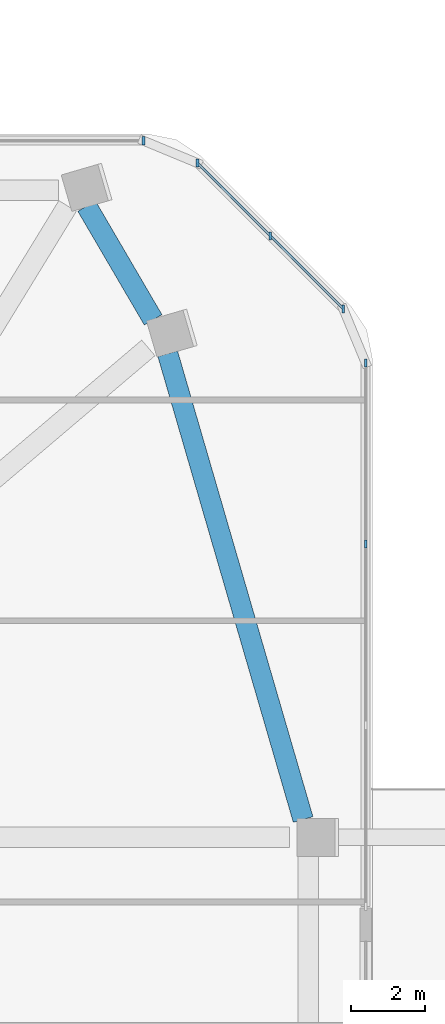
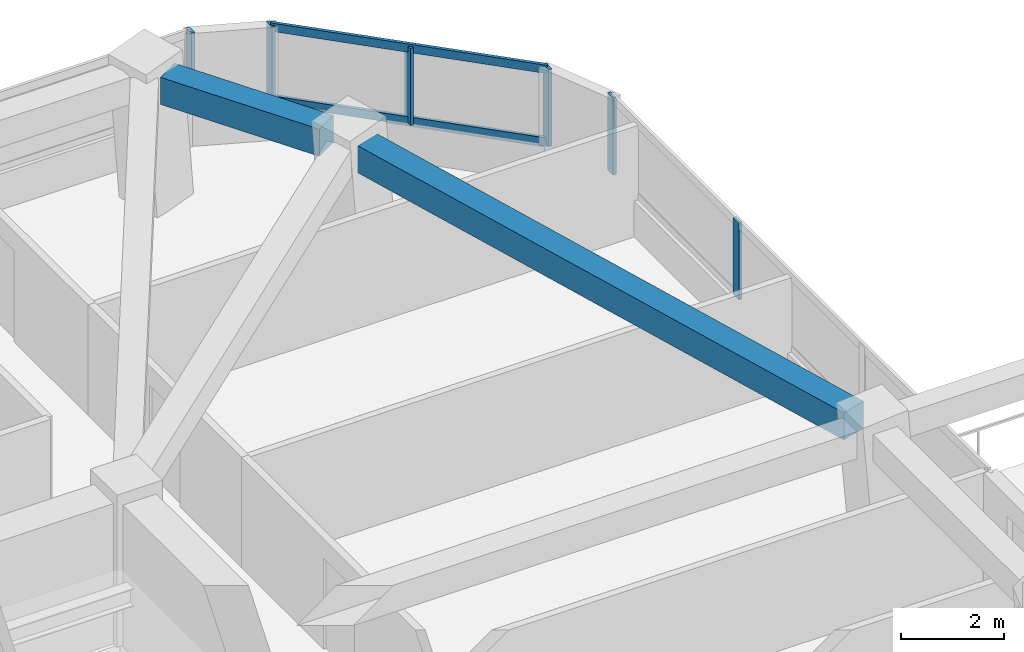
# One storey, part 8 of 15: 8 members, 2 beams, 3 elements without a shape of their own.
"""IFC4 building model written with IfcOpenShell, lengths in metres."""

from ifc_helpers import new_model, si_unit, derived_unit, direction, frame, origin, origin_2d, place, context, subcontext, project, spatial, rectangle, extrude, material, material_profile, profile_set, type_object, element, aggregate, save


model = new_model("IFC4")

# Units and contexts
model_context = context("Model", 3, precision=1e-05, world=origin(), true_north=direction((0.0, 1.0)))
body_context = subcontext(model_context, "Body", "Model", "MODEL_VIEW")
ifc_project = project(units=[si_unit("LENGTHUNIT", "METRE"), si_unit("AREAUNIT", "SQUARE_METRE"), si_unit("VOLUMEUNIT", "CUBIC_METRE"), si_unit("PLANEANGLEUNIT", "RADIAN"), si_unit("MASSUNIT", "GRAM", prefix="KILO"), derived_unit("THERMALTRANSMITTANCEUNIT", [(si_unit("POWERUNIT", "WATT"), 1), (si_unit("LENGTHUNIT", "METRE"), -2), (si_unit("THERMODYNAMICTEMPERATUREUNIT", "KELVIN"), -1)])], contexts=[model_context])

# Site, building, storey
site_placement = place(None, origin())
site = spatial("IfcSite", under=ifc_project, at=site_placement, CompositionType="ELEMENT")
building_placement = place(site_placement, origin())
building = spatial("IfcBuilding", under=site, at=building_placement, Name="Koralith Skygarden Medical Center", CompositionType="ELEMENT")
storey_placement = place(building_placement, frame((0.0, 0.0, 91.97998046875)))
storey = spatial("IfcBuildingStorey", under=building, at=storey_placement, Name="L23", CompositionType="ELEMENT", Elevation=91.97998046875)

# Curtain wall, members
ifc_material_1 = material(Name="Clear Laminated Glass", Category="glass")
curtain_wall_type = type_object("IfcCurtainWallType", Name="CW-3 Zone 2 Faceted Solar Curtain Wall", PredefinedType="NOTDEFINED", material=ifc_material_1)
curtain_wall_1_placement = place(storey_placement, origin())
curtain_wall_1 = element("IfcCurtainWall", 1, at=curtain_wall_1_placement, inside=storey, type_object=curtain_wall_type, Name="Curtain Wall CW-L23-E-R", PredefinedType="NOTDEFINED")
ifc_material_2 = material(Name="Aluminium 6063-T6", Category="aluminium")
ifc_material_profile_1 = material_profile(ifc_material_2, rectangle(XDim=0.073974609375, YDim=0.219970703125, at=origin_2d()), Name="MUL74X220")
ifc_profile_set_1 = profile_set([ifc_material_profile_1], Name="Aluminium 6063-T6")
member_type_1 = type_object("IfcMemberType", Name="CW-3 Extruded Mullion 74x220", PredefinedType="MULLION", material=ifc_profile_set_1)
member_1_placement = place(storey_placement, frame((63.41796875, 37.18408203125, 0.85009765625), z_axis=(0.0, 0.0, 1.0), x_axis=(1.0, 0.0, 0.0)))
member_1 = element("IfcMember", 2, at=member_1_placement, type_object=member_type_1, Name="CW-L23-E-R Mullion 3", PredefinedType="MULLION", context=body_context, shape_type="SweptSolid", body=[
    extrude(rectangle(XDim=0.073974609375, YDim=0.219970703125, at=origin_2d()), origin(), (0.0, 0.0, 1.0), 1.81982421875),
])
member_2_placement = place(storey_placement, frame((63.41796875, 42.055908203125, 0.85009765625), z_axis=(0.0, 0.0, 1.0), x_axis=(1.0, 0.0, 0.0)))
member_2 = element("IfcMember", 3, at=member_2_placement, type_object=member_type_1, Name="CW-L23-E-R Mullion 4", PredefinedType="MULLION", context=body_context, shape_type="SweptSolid", body=[
    extrude(rectangle(XDim=0.073974609375, YDim=0.219970703125, at=origin_2d()), origin(), (0.0, 0.0, 1.0), 1.81982421875),
])
aggregate(curtain_wall_1, [member_1, member_2])

curtain_wall_2_placement = place(storey_placement, origin())
curtain_wall_2 = element("IfcCurtainWall", 4, at=curtain_wall_2_placement, inside=storey, type_object=curtain_wall_type, Name="Curtain Wall CW-L23-NE", PredefinedType="NOTDEFINED")
member_3_placement = place(storey_placement, frame((62.81591796875, 43.507080078125, 0.85009765625), z_axis=(0.0, 0.0, 1.0), x_axis=(1.0, 0.0, 0.0)))
member_3 = element("IfcMember", 5, at=member_3_placement, type_object=member_type_1, Name="CW-L23-NE Mullion 1", PredefinedType="MULLION", context=body_context, shape_type="SweptSolid", body=[
    extrude(rectangle(XDim=0.073974609375, YDim=0.219970703125, at=origin_2d()), origin(), (0.0, 0.0, 1.0), 1.81982421875),
])
member_4_placement = place(storey_placement, frame((60.85498046875, 45.468017578125, 0.85009765625), z_axis=(0.0, 0.0, 1.0), x_axis=(1.0, 0.0, 0.0)))
member_4 = element("IfcMember", 6, at=member_4_placement, type_object=member_type_1, Name="CW-L23-NE Mullion 2", PredefinedType="MULLION", context=body_context, shape_type="SweptSolid", body=[
    extrude(rectangle(XDim=0.073974609375, YDim=0.219970703125, at=origin_2d()), origin(), (0.0, 0.0, 1.0), 1.81982421875),
])
member_5_placement = place(storey_placement, frame((58.89306640625, 47.429931640625, 0.85009765625), z_axis=(0.0, 0.0, 1.0), x_axis=(1.0, 0.0, 0.0)))
member_5 = element("IfcMember", 7, at=member_5_placement, type_object=member_type_1, Name="CW-L23-NE Mullion 3", PredefinedType="MULLION", context=body_context, shape_type="SweptSolid", body=[
    extrude(rectangle(XDim=0.073974609375, YDim=0.219970703125, at=origin_2d()), origin(), (0.0, 0.0, 1.0), 1.81982421875),
])

# Curtain wall, member
curtain_wall_3_placement = place(storey_placement, origin())
curtain_wall_3 = element("IfcCurtainWall", 8, at=curtain_wall_3_placement, inside=storey, type_object=curtain_wall_type, Name="Curtain Wall CW-L23-N", PredefinedType="NOTDEFINED")
member_6_placement = place(storey_placement, frame((57.44189453125, 48.031005859375, 0.85009765625), z_axis=(0.0, 0.0, 1.0), x_axis=(1.0, 0.0, 0.0)))
member_6 = element("IfcMember", 9, at=member_6_placement, type_object=member_type_1, Name="CW-L23-N Mullion 1", PredefinedType="MULLION", context=body_context, shape_type="SweptSolid", body=[
    extrude(rectangle(XDim=0.073974609375, YDim=0.219970703125, at=origin_2d()), origin(), (0.0, 0.0, 1.0), 1.81982421875),
])
aggregate(curtain_wall_3, [member_6])

# Member
ifc_material_profile_2 = material_profile(ifc_material_2, rectangle(XDim=0.069091796875, YDim=0.197998046875, at=origin_2d()), Name="TRN69X198")
ifc_profile_set_2 = profile_set([ifc_material_profile_2], Name="Aluminium 6063-T6")
member_type_2 = type_object("IfcMemberType", Name="CW-3 Thermal Transom 69x198", PredefinedType="USERDEFINED", material=ifc_profile_set_2)
member_7_placement = place(storey_placement, frame((62.81591796875, 43.507080078125, 0.89990234375), z_axis=(-0.707106781187, 0.707106781187, 0.0), x_axis=(-0.707106781187, -0.707106781187, 0.0)))
member_7 = element("IfcMember", 10, at=member_7_placement, type_object=member_type_2, Name="CW-L23-NE Transom 1", ObjectType="TRANSOM", PredefinedType="USERDEFINED", context=body_context, shape_type="SweptSolid", body=[
    extrude(rectangle(XDim=0.069091796875, YDim=0.197998046875, at=origin_2d()), origin(), (0.0, 0.0, 1.0), 5.5478515625),
])

member_8_placement = place(storey_placement, frame((62.81591796875, 43.507080078125, 2.6201171875), z_axis=(-0.707106781187, 0.707106781187, 0.0), x_axis=(-0.707106781187, -0.707106781187, 0.0)))
member_8 = element("IfcMember", 11, at=member_8_placement, type_object=member_type_2, Name="CW-L23-NE Transom 2", ObjectType="TRANSOM", PredefinedType="USERDEFINED", context=body_context, shape_type="SweptSolid", body=[
    extrude(rectangle(XDim=0.069091796875, YDim=0.197998046875, at=origin_2d()), origin(), (0.0, 0.0, 1.0), 5.5478515625),
])

aggregate(curtain_wall_2, [member_3, member_4, member_5, member_7, member_8])

# Beams
ifc_material_3 = material(Name="Concrete C45/55", Category="concrete")
ifc_material_profile_3 = material_profile(ifc_material_3, rectangle(XDim=0.550048828125, YDim=0.639892578125, at=origin_2d()), Name="RCB550X640")
ifc_profile_set_3 = profile_set([ifc_material_profile_3], Name="Concrete C45/55")
beam_type = type_object("IfcBeamType", Name="Zone 2-3 Spandrel Beam RCB550X640", PredefinedType="SPANDREL", material=ifc_profile_set_3)
beam_1_placement = place(storey_placement, frame((61.736083984375, 29.780029296875, 3.0), z_axis=(-0.279193344291, 0.960234906939, 0.0), x_axis=(-0.960234906939, -0.279193344291, 0.0)))
element("IfcBeam", 12, at=beam_1_placement, inside=storey, type_object=beam_type, Name="L23 Perimeter Spandrel Beam SP-09", PredefinedType="SPANDREL", context=body_context, shape_type="SweptSolid", body=[
    extrude(rectangle(XDim=0.550048828125, YDim=0.639892578125, at=origin_2d()), origin(), (0.0, 0.0, 1.0), 13.04150390625),
])
beam_2_placement = place(storey_placement, frame((57.702880859375, 43.215087890625, 3.0), z_axis=(-0.504766963518, 0.863255647268, 0.0), x_axis=(-0.863255647268, -0.504766963518, 0.0)))
element("IfcBeam", 13, at=beam_2_placement, inside=storey, type_object=beam_type, Name="L23 Perimeter Spandrel Beam SP-10", PredefinedType="SPANDREL", context=body_context, shape_type="SweptSolid", body=[
    extrude(rectangle(XDim=0.550048828125, YDim=0.639892578125, at=origin_2d()), origin(), (0.0, 0.0, 1.0), 3.5400390625),
])

save(model, "model.ifc")
